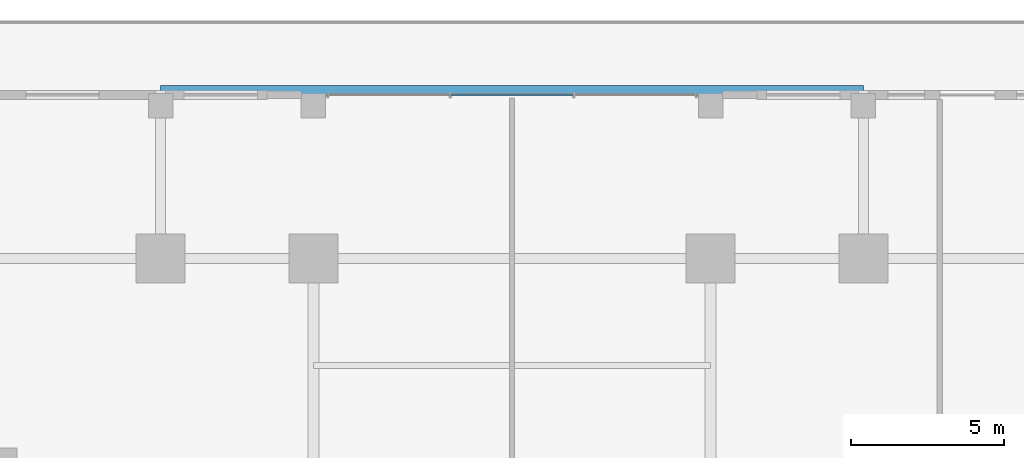
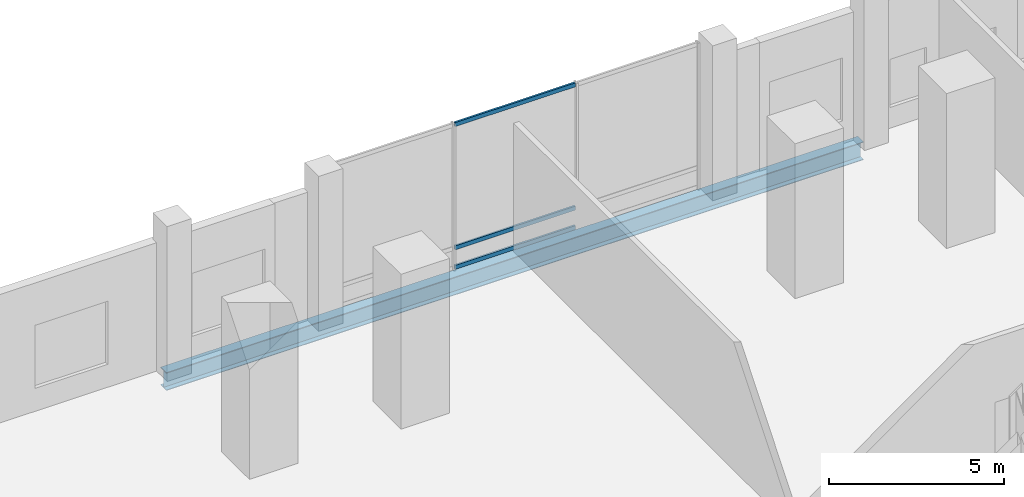
# One storey, part 12 of 32: 3 members, 1 beam, 1 element without a shape of its own.
"""IFC4 building model written with IfcOpenShell, lengths in metres."""

from ifc_helpers import new_model, si_unit, direction, frame, origin, origin_2d, place, context, subcontext, project, spatial, hollow_rectangle, i_section, extrude, material, layer, layer_set, material_profile, profile_set, type_object, element, aggregate, save


model = new_model("IFC4")

# Units and contexts
model_context = context("Model", 3, precision=1e-05, world=origin(), true_north=direction((0.0, 1.0)))
body_context = subcontext(model_context, "Body", "Model", "MODEL_VIEW")
ifc_project = project(units=[si_unit("LENGTHUNIT", "METRE"), si_unit("AREAUNIT", "SQUARE_METRE"), si_unit("VOLUMEUNIT", "CUBIC_METRE"), si_unit("PLANEANGLEUNIT", "RADIAN"), si_unit("MASSUNIT", "GRAM", prefix="KILO")], contexts=[model_context])

# Site, building, storey
site_placement = place(None, origin())
site = spatial("IfcSite", under=ifc_project, at=site_placement, CompositionType="ELEMENT")
building_placement = place(site_placement, origin())
building = spatial("IfcBuilding", under=site, at=building_placement, Name="Barlavira Tower and Art Museum", CompositionType="ELEMENT")
storey_placement = place(building_placement, frame((0.0, 0.0, 6.0)))
storey = spatial("IfcBuildingStorey", under=building, at=storey_placement, Name="L01", CompositionType="ELEMENT", Elevation=6.0)

# Curtain wall, members
ifc_material_1 = material(Name="Low-iron coastal laminated glass", Category="glass")
ifc_layer = layer(ifc_material_1, 0.179931640625, Name="Low-iron coastal laminated glass")
ifc_layer_set = layer_set([ifc_layer], Name="Low-iron coastal laminated glass")
curtain_wall_type = type_object("IfcCurtainWallType", Name="Pale-Metal Unitised Curtain Wall Zone 1", PredefinedType="NOTDEFINED", material=ifc_layer_set)
curtain_wall_placement = place(storey_placement, origin())
curtain_wall = element("IfcCurtainWall", 1, at=curtain_wall_placement, inside=storey, type_object=curtain_wall_type, Name="L01 Curtain Wall CW1-L01-N-B2", PredefinedType="NOTDEFINED")
ifc_material_2 = material(Name="Pale anodised aluminium", Category="aluminium")
ifc_material_profile_1 = material_profile(ifc_material_2, hollow_rectangle(XDim=0.06494140625, YDim=0.139892578125, WallThickness=0.00390625, at=origin_2d()), Name="ALU-TRAN 65x140x4")
ifc_profile_set_1 = profile_set([ifc_material_profile_1], Name="Pale anodised aluminium")
member_type = type_object("IfcMemberType", Name="Curtain Wall Pale-Metal Transom 65x140", PredefinedType="USERDEFINED", material=ifc_profile_set_1)
member_1_placement = place(storey_placement, frame((1.981689453125, 25.35009765625, 0.070068359375), z_axis=(-1.0, 0.0, 0.0), x_axis=(0.0, -1.0, 0.0)))
member_1 = element("IfcMember", 2, at=member_1_placement, type_object=member_type, Name="CW1-L01-N-B2 Transom 1.1", ObjectType="TRANSOM", PredefinedType="USERDEFINED", context=body_context, shape_type="SweptSolid", body=[
    extrude(hollow_rectangle(XDim=0.06494140625, YDim=0.139892578125, WallThickness=0.00390625, at=origin_2d()), origin(), (0.0, 0.0, 1.0), 3.96337890625),
])
member_2_placement = place(storey_placement, frame((1.981689453125, 25.35009765625, 0.75), z_axis=(-1.0, 0.0, 0.0), x_axis=(0.0, -1.0, 0.0)))
member_2 = element("IfcMember", 3, at=member_2_placement, type_object=member_type, Name="CW1-L01-N-B2 Transom 1.2", ObjectType="TRANSOM", PredefinedType="USERDEFINED", context=body_context, shape_type="SweptSolid", body=[
    extrude(hollow_rectangle(XDim=0.06494140625, YDim=0.139892578125, WallThickness=0.00390625, at=origin_2d()), origin(), (0.0, 0.0, 1.0), 3.96337890625),
])
member_3_placement = place(storey_placement, frame((1.981689453125, 25.35009765625, 5.050048828125), z_axis=(-1.0, 0.0, 0.0), x_axis=(0.0, -1.0, 0.0)))
member_3 = element("IfcMember", 4, at=member_3_placement, type_object=member_type, Name="CW1-L01-N-B2 Transom 1.3", ObjectType="TRANSOM", PredefinedType="USERDEFINED", context=body_context, shape_type="SweptSolid", body=[
    extrude(hollow_rectangle(XDim=0.06494140625, YDim=0.139892578125, WallThickness=0.00390625, at=origin_2d()), origin(), (0.0, 0.0, 1.0), 3.96337890625),
])
aggregate(curtain_wall, [member_1, member_2, member_3])

# Beam
ifc_material_3 = material(Name="Steel S355", Category="steel")
ifc_material_profile_2 = material_profile(ifc_material_3, i_section(OverallWidth=0.327880859375, OverallDepth=0.62890625, WebThickness=0.013916015625, FlangeThickness=0.021484375, at=origin_2d()), Name="W610x174.0")
ifc_profile_set_2 = profile_set([ifc_material_profile_2], Name="Steel S355")
beam_type = type_object("IfcBeamType", Name="Perimeter Spandrel Edge Beam W610x174 Steel S355", PredefinedType="SPANDREL", material=ifc_profile_set_2)
beam_placement = place(storey_placement, frame((-11.5, 25.5, -0.594482421875), z_axis=(1.0, 0.0, 0.0), x_axis=(0.0, 1.0, 0.0)))
element("IfcBeam", 5, at=beam_placement, inside=storey, type_object=beam_type, Name="L01 North Cascade Edge Spandrel", PredefinedType="SPANDREL", context=body_context, shape_type="SweptSolid", body=[
    extrude(i_section(OverallWidth=0.327880859375, OverallDepth=0.62890625, WebThickness=0.013916015625, FlangeThickness=0.021484375, at=origin_2d()), origin(), (0.0, 0.0, 1.0), 23.0),
])

save(model, "model.ifc")
